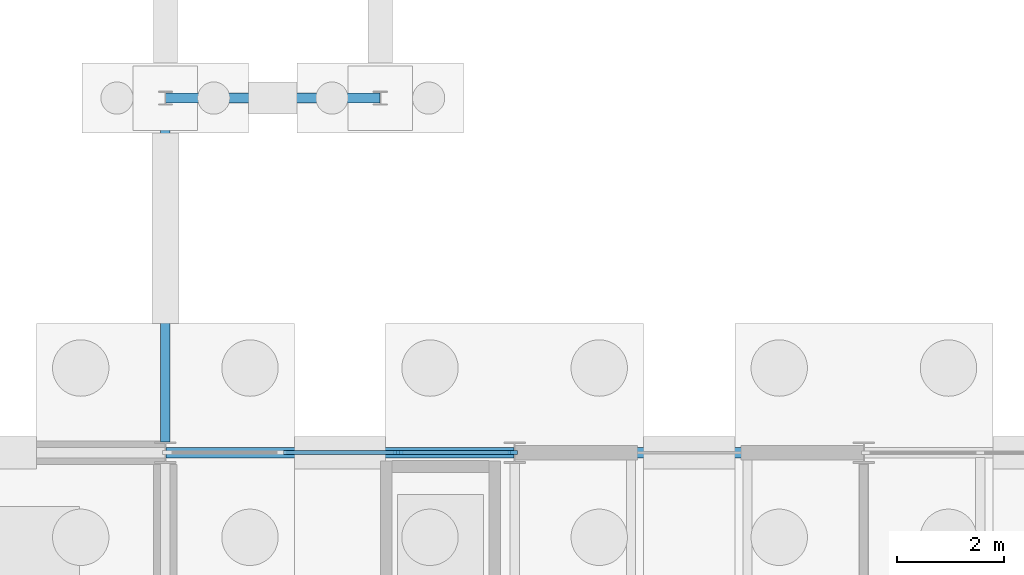
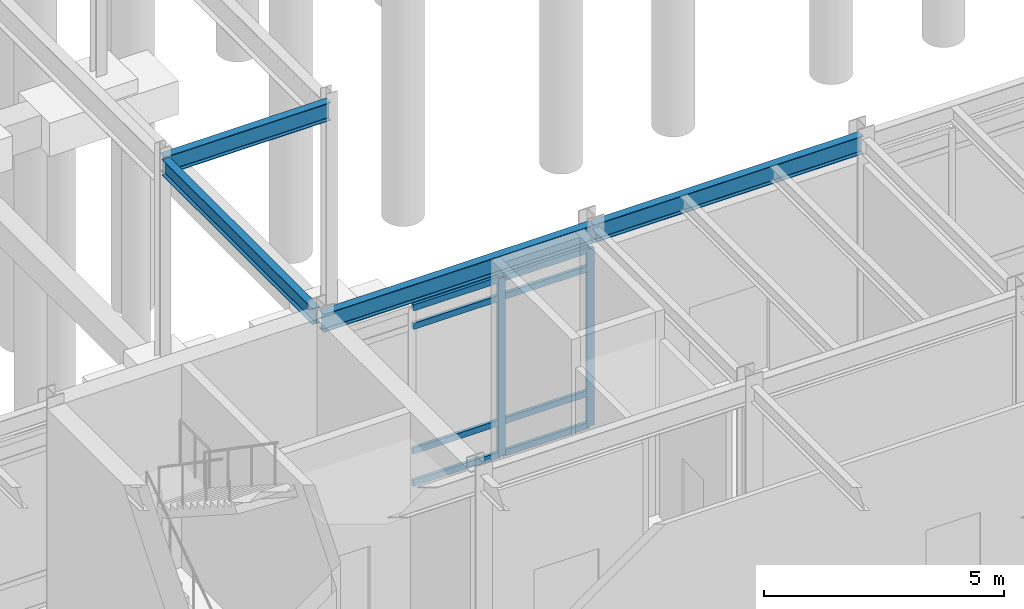
# One storey, part 38 of 82: 10 members, 4 beams, 1 element without a shape of its own.
"""IFC4 building model written with IfcOpenShell, lengths in metres."""

from ifc_helpers import new_model, si_unit, direction, frame, origin, origin_2d, place, context, subcontext, project, spatial, rectangle, i_section, extrude, material, layer, layer_set, material_profile, profile_set, type_object, element, aggregate, save


model = new_model("IFC4")

# Units and contexts
model_context = context("Model", 3, precision=1e-05, world=origin(), true_north=direction((0.0, 1.0)))
body_context = subcontext(model_context, "Body", "Model", "MODEL_VIEW")
ifc_project = project(units=[si_unit("LENGTHUNIT", "METRE"), si_unit("AREAUNIT", "SQUARE_METRE"), si_unit("VOLUMEUNIT", "CUBIC_METRE"), si_unit("PLANEANGLEUNIT", "RADIAN"), si_unit("MASSUNIT", "GRAM", prefix="KILO")], contexts=[model_context])

# Site, building, storey
site_placement = place(None, origin())
site = spatial("IfcSite", under=ifc_project, at=site_placement, CompositionType="ELEMENT")
building_placement = place(site_placement, origin())
building = spatial("IfcBuilding", under=site, at=building_placement, Name="Trelmorton Wharf Fire Station", CompositionType="ELEMENT")
storey_placement = place(building_placement, origin())
storey = spatial("IfcBuildingStorey", under=building, at=storey_placement, Name="L00", CompositionType="ELEMENT", Elevation=0.0)

# Beam
ifc_material_1 = material(Name="Steel Grade 350", Category="steel")
ifc_material_profile_1 = material_profile(ifc_material_1, i_section(OverallWidth=0.177978515625, OverallDepth=0.406005859375, WebThickness=0.0078125, FlangeThickness=0.0126953125, FilletRadius=0.011474609375, at=origin_2d()), Name="410UB59.7")
ifc_profile_set_1 = profile_set([ifc_material_profile_1], Name="Steel Grade 350")
beam_type_1 = type_object("IfcBeamType", Name="BM_410UB60", PredefinedType="BEAM", material=ifc_profile_set_1)
beam_1_placement = place(storey_placement, frame((117.0, 27.7958984375, 4.927001953125), z_axis=(0.0, 1.0, 0.0), x_axis=(-1.0, 0.0, 0.0)))
element("IfcBeam", 1, at=beam_1_placement, inside=storey, type_object=beam_type_1, Name="BM-L00-0333", PredefinedType="BEAM", context=body_context, shape_type="SweptSolid", body=[
    extrude(i_section(OverallWidth=0.177978515625, OverallDepth=0.406005859375, WebThickness=0.0078125, FlangeThickness=0.0126953125, FilletRadius=0.011474609375, at=origin_2d()), origin(), (0.0, 0.0, 1.0), 6.281005859375),
])

# Curtain wall, members
ifc_material_2 = material(Name="Anodised aluminium AW-6063", Category="aluminium")
ifc_layer = layer(ifc_material_2, 0.14990234375)
ifc_layer_set = layer_set([ifc_layer], Name="Anodised aluminium AW-6063")
curtain_wall_type = type_object("IfcCurtainWallType", Name="CW_UNIT_A", PredefinedType="USERDEFINED", material=ifc_layer_set)
curtain_wall_placement = place(storey_placement, origin())
curtain_wall = element("IfcCurtainWall", 2, at=curtain_wall_placement, inside=storey, type_object=curtain_wall_type, Name="CW-V5-L00-036", ObjectType="UNITISED CURTAIN WALL", PredefinedType="USERDEFINED")
ifc_material_profile_2 = material_profile(ifc_material_2, rectangle(XDim=0.074951171875, YDim=0.175048828125, at=origin_2d()), Name="ALU-75x175")
ifc_profile_set_2 = profile_set([ifc_material_profile_2], Name="Anodised aluminium AW-6063")
member_type_1 = type_object("IfcMemberType", Name="CWM_75x175", PredefinedType="MULLION", material=ifc_profile_set_2)
member_1_placement = place(storey_placement, frame((121.331787109375, 27.60009765625, 0.0), z_axis=(0.0, 0.0, 1.0), x_axis=(0.0, 1.0, 0.0)))
member_1 = element("IfcMember", 3, at=member_1_placement, type_object=member_type_1, Name="CW3 mullion 3", PredefinedType="MULLION", context=body_context, shape_type="SweptSolid", body=[
    extrude(rectangle(XDim=0.074951171875, YDim=0.175048828125, at=origin_2d()), origin(), (0.0, 0.0, 1.0), 4.52001953125),
])
member_2_placement = place(storey_placement, frame((123.465087890625, 27.60009765625, 0.0), z_axis=(0.0, 0.0, 1.0), x_axis=(0.0, 1.0, 0.0)))
member_2 = element("IfcMember", 4, at=member_2_placement, type_object=member_type_1, Name="CW3 mullion 4", PredefinedType="MULLION", context=body_context, shape_type="SweptSolid", body=[
    extrude(rectangle(XDim=0.074951171875, YDim=0.175048828125, at=origin_2d()), origin(), (0.0, 0.0, 1.0), 4.52001953125),
])
ifc_material_profile_3 = material_profile(ifc_material_2, rectangle(XDim=0.074951171875, YDim=0.155029296875, at=origin_2d()), Name="ALU-75x155")
ifc_profile_set_3 = profile_set([ifc_material_profile_3], Name="Anodised aluminium AW-6063")
member_type_2 = type_object("IfcMemberType", Name="CWT_75x155", PredefinedType="USERDEFINED", material=ifc_profile_set_3)
member_3_placement = place(storey_placement, frame((119.1982421875, 27.60009765625, 0.030029296875), z_axis=(1.0, 0.0, 0.0), x_axis=(0.0, 1.0, 0.0)))
member_3 = element("IfcMember", 5, at=member_3_placement, type_object=member_type_2, Name="CW3 transom 2.1", ObjectType="TRANSOM", PredefinedType="USERDEFINED", context=body_context, shape_type="SweptSolid", body=[
    extrude(rectangle(XDim=0.074951171875, YDim=0.155029296875, at=origin_2d()), origin(), (0.0, 0.0, 1.0), 2.103515625),
])
member_4_placement = place(storey_placement, frame((119.1982421875, 27.60009765625, 0.85009765625), z_axis=(1.0, 0.0, 0.0), x_axis=(0.0, 1.0, 0.0)))
member_4 = element("IfcMember", 6, at=member_4_placement, type_object=member_type_2, Name="CW3 transom 2.2", ObjectType="TRANSOM", PredefinedType="USERDEFINED", context=body_context, shape_type="SweptSolid", body=[
    extrude(rectangle(XDim=0.074951171875, YDim=0.155029296875, at=origin_2d()), origin(), (0.0, 0.0, 1.0), 2.103515625),
])
member_5_placement = place(storey_placement, frame((119.1982421875, 27.60009765625, 4.02001953125), z_axis=(1.0, 0.0, 0.0), x_axis=(0.0, 1.0, 0.0)))
member_5 = element("IfcMember", 7, at=member_5_placement, type_object=member_type_2, Name="CW3 transom 2.3", ObjectType="TRANSOM", PredefinedType="USERDEFINED", context=body_context, shape_type="SweptSolid", body=[
    extrude(rectangle(XDim=0.074951171875, YDim=0.155029296875, at=origin_2d()), origin(), (0.0, 0.0, 1.0), 2.103515625),
])
member_6_placement = place(storey_placement, frame((119.1982421875, 27.60009765625, 4.489990234375), z_axis=(1.0, 0.0, 0.0), x_axis=(0.0, 1.0, 0.0)))
member_6 = element("IfcMember", 8, at=member_6_placement, type_object=member_type_2, Name="CW3 transom 2.4", ObjectType="TRANSOM", PredefinedType="USERDEFINED", context=body_context, shape_type="SweptSolid", body=[
    extrude(rectangle(XDim=0.074951171875, YDim=0.155029296875, at=origin_2d()), origin(), (0.0, 0.0, 1.0), 2.103515625),
])
member_7_placement = place(storey_placement, frame((121.361572265625, 27.60009765625, 0.030029296875), z_axis=(1.0, 0.0, 0.0), x_axis=(0.0, 1.0, 0.0)))
member_7 = element("IfcMember", 9, at=member_7_placement, type_object=member_type_2, Name="CW3 transom 3.1", ObjectType="TRANSOM", PredefinedType="USERDEFINED", context=body_context, shape_type="SweptSolid", body=[
    extrude(rectangle(XDim=0.074951171875, YDim=0.155029296875, at=origin_2d()), origin(), (0.0, 0.0, 1.0), 2.073486328125),
])
member_8_placement = place(storey_placement, frame((121.361572265625, 27.60009765625, 0.85009765625), z_axis=(1.0, 0.0, 0.0), x_axis=(0.0, 1.0, 0.0)))
member_8 = element("IfcMember", 10, at=member_8_placement, type_object=member_type_2, Name="CW3 transom 3.2", ObjectType="TRANSOM", PredefinedType="USERDEFINED", context=body_context, shape_type="SweptSolid", body=[
    extrude(rectangle(XDim=0.074951171875, YDim=0.155029296875, at=origin_2d()), origin(), (0.0, 0.0, 1.0), 2.073486328125),
])
member_9_placement = place(storey_placement, frame((121.361572265625, 27.60009765625, 4.02001953125), z_axis=(1.0, 0.0, 0.0), x_axis=(0.0, 1.0, 0.0)))
member_9 = element("IfcMember", 11, at=member_9_placement, type_object=member_type_2, Name="CW3 transom 3.3", ObjectType="TRANSOM", PredefinedType="USERDEFINED", context=body_context, shape_type="SweptSolid", body=[
    extrude(rectangle(XDim=0.074951171875, YDim=0.155029296875, at=origin_2d()), origin(), (0.0, 0.0, 1.0), 2.073486328125),
])
member_10_placement = place(storey_placement, frame((121.361572265625, 27.60009765625, 4.489990234375), z_axis=(1.0, 0.0, 0.0), x_axis=(0.0, 1.0, 0.0)))
member_10 = element("IfcMember", 12, at=member_10_placement, type_object=member_type_2, Name="CW3 transom 3.4", ObjectType="TRANSOM", PredefinedType="USERDEFINED", context=body_context, shape_type="SweptSolid", body=[
    extrude(rectangle(XDim=0.074951171875, YDim=0.155029296875, at=origin_2d()), origin(), (0.0, 0.0, 1.0), 2.073486328125),
])
aggregate(curtain_wall, [member_1, member_2, member_3, member_4, member_5, member_6, member_7, member_8, member_9, member_10])

# Beams
ifc_material_profile_4 = material_profile(ifc_material_1, i_section(OverallWidth=0.18994140625, OverallDepth=0.45703125, WebThickness=0.009033203125, FlangeThickness=0.014404296875, FilletRadius=0.011474609375, at=origin_2d()), Name="460UB74.6")
ifc_profile_set_4 = profile_set([ifc_material_profile_4], Name="Steel Grade 350")
beam_type_2 = type_object("IfcBeamType", Name="SP_460UB75", PredefinedType="SPANDREL", material=ifc_profile_set_4)
for number, where, z_axis, x_axis, name in (
    (13, (117.008056640625, 27.60009765625, 4.901611328125), (1.0, 0.0, 0.0), (0.0, 1.0, 0.0), "BM-L00-0096"),
    (14, (123.508056640625, 27.60009765625, 4.901611328125), (1.0, 0.0, 0.0), (0.0, 1.0, 0.0), "BM-L00-0097"),
):
    element("IfcBeam", number, at=place(storey_placement, frame(where, z_axis=z_axis, x_axis=x_axis)), inside=storey, type_object=beam_type_2, Name=name, PredefinedType="SPANDREL", context=body_context, shape_type="SweptSolid", body=[
        extrude(i_section(OverallWidth=0.18994140625, OverallDepth=0.45703125, WebThickness=0.009033203125, FlangeThickness=0.014404296875, FilletRadius=0.011474609375, at=origin_2d()), origin(), (0.0, 0.0, 1.0), 6.48388671875),
    ])
beam_2_placement = place(storey_placement, frame((117.00390625, 34.199951171875, 4.901611328125), z_axis=(1.0, 0.0, 0.0), x_axis=(0.0, 1.0, 0.0)))
element("IfcBeam", 15, at=beam_2_placement, inside=storey, type_object=beam_type_2, Name="BM-L00-0113", PredefinedType="SPANDREL", context=body_context, shape_type="SweptSolid", body=[
    extrude(i_section(OverallWidth=0.18994140625, OverallDepth=0.45703125, WebThickness=0.009033203125, FlangeThickness=0.014404296875, FilletRadius=0.011474609375, at=origin_2d()), origin(), (0.0, 0.0, 1.0), 3.9921875),
])

save(model, "model.ifc")
